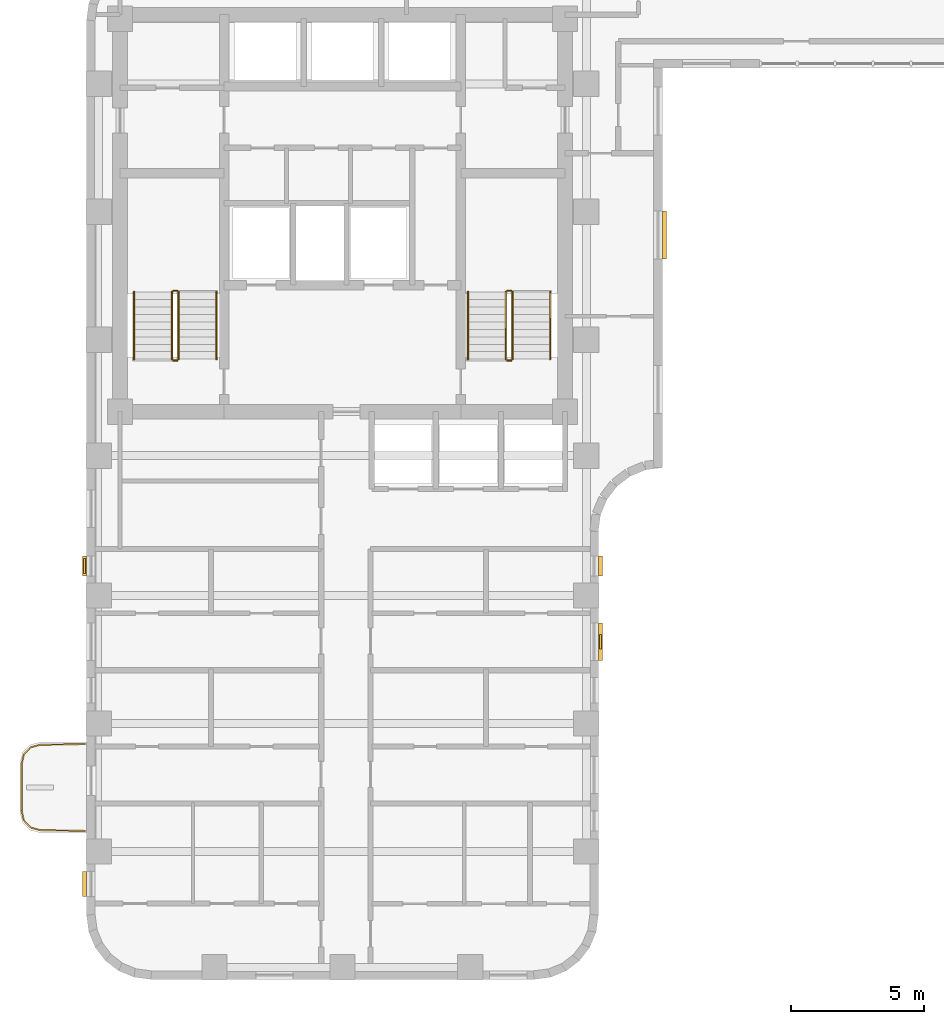
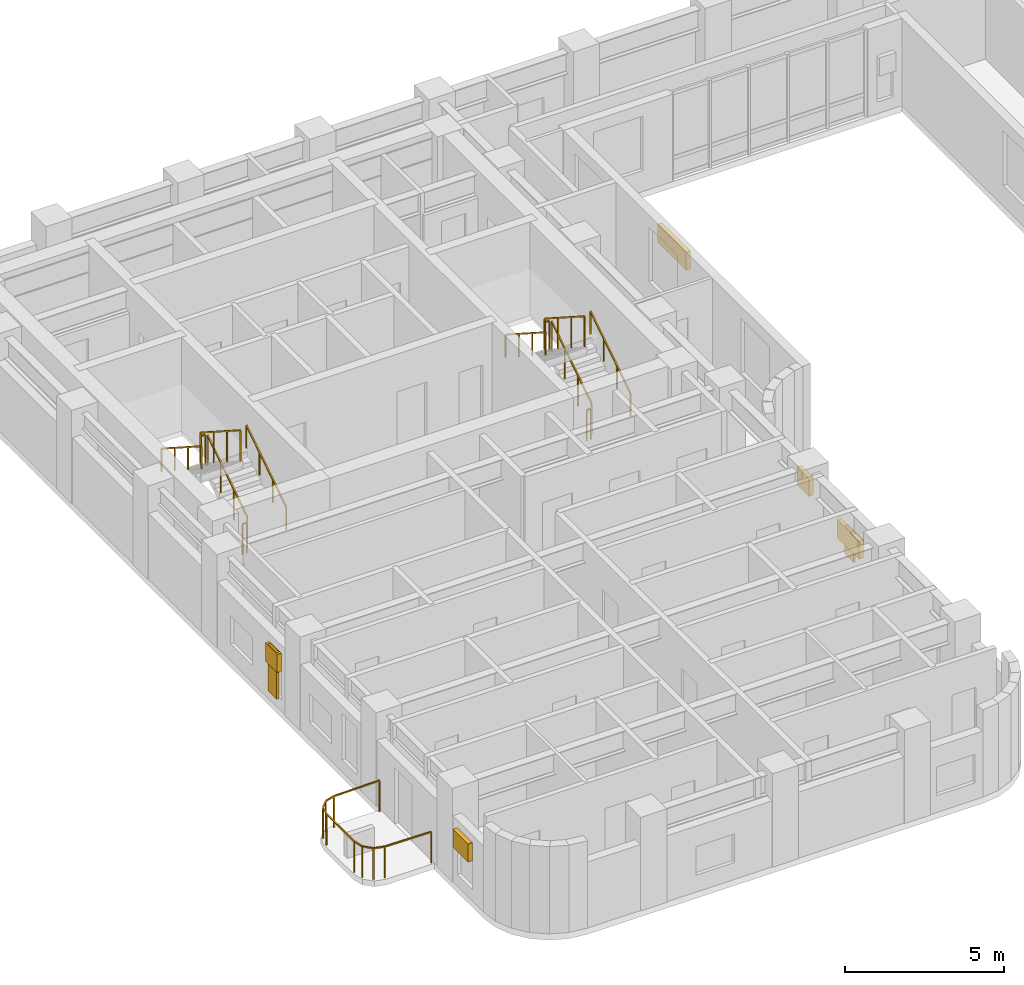
# One storey, part 9 of 11: 13 railings, 7 shading devices.
"""IFC4 building model written with IfcOpenShell, lengths in metres."""

from ifc_helpers import new_model, si_unit, direction, frame, origin, origin_2d, place, context, subcontext, project, spatial, rectangle, extrude, material, type_object, element, save


model = new_model("IFC4")

# Units and contexts
model_context = context("Model", 3, precision=1e-05, world=origin(), true_north=direction((0.0, 1.0)))
body_context = subcontext(model_context, "Body", "Model", "MODEL_VIEW")
ifc_project = project(units=[si_unit("LENGTHUNIT", "METRE"), si_unit("AREAUNIT", "SQUARE_METRE"), si_unit("VOLUMEUNIT", "CUBIC_METRE"), si_unit("PLANEANGLEUNIT", "RADIAN"), si_unit("MASSUNIT", "GRAM", prefix="KILO")], contexts=[model_context])

# Site, building, storey
site_placement = place(None, origin())
site = spatial("IfcSite", under=ifc_project, at=site_placement, CompositionType="ELEMENT")
building_placement = place(site_placement, origin())
building = spatial("IfcBuilding", under=site, at=building_placement, Name="Orvandelia Arch Residences", CompositionType="ELEMENT")
storey_placement = place(building_placement, frame((0.0, 0.0, 172.0)))
storey = spatial("IfcBuildingStorey", under=building, at=storey_placement, Name="L45", CompositionType="ELEMENT", Elevation=172.0)

# Railings
ifc_material_1 = material(Name="Marine-Grade Stainless Steel 316", Category="steel")
railing_type_1 = type_object("IfcRailingType", Name="GRD-BAL-1200", PredefinedType="BALUSTRADE", material=ifc_material_1)
railing_1_placement = place(storey_placement, frame((4.728271484375, 18.430419921875, 0.0)))
element("IfcRailing", 1, at=railing_1_placement, inside=storey, type_object=railing_type_1, Name="Safety Balustrade Guard GRD-L45-BAL-L45-W1-1", PredefinedType="BALUSTRADE", context=body_context, shape_type="SweptSolid", body=[
    extrude(rectangle(XDim=0.048095703125, YDim=0.048095703125, at=origin_2d()), frame((0.0, 0.0, 1.19580078125), z_axis=(-0.999834751713, -0.018178813668, 0.0), x_axis=(0.018178813668, -0.999834751713, 0.0)), (0.0, 0.0, 1.0), 1.6787109375),
    extrude(rectangle(XDim=0.048095703125, YDim=0.048095703125, at=origin_2d()), frame((-1.678466796875, -0.030517578125, 1.19580078125), z_axis=(-0.96348920644, -0.267747173792, 0.0), x_axis=(0.267747173792, -0.96348920644, 0.0)), (0.0, 0.0, 1.0), 0.36572265625),
    extrude(rectangle(XDim=0.048095703125, YDim=0.048095703125, at=origin_2d()), frame((-2.03076171875, -0.12841796875, 1.19580078125), z_axis=(-0.688627404251, -0.725115368831, 0.0), x_axis=(0.725115368831, -0.688627404251, 0.0)), (0.0, 0.0, 1.0), 0.367919921875),
    extrude(rectangle(XDim=0.048095703125, YDim=0.048095703125, at=origin_2d()), frame((-2.2841796875, -0.395263671875, 1.19580078125), z_axis=(-0.220602419982, -0.975363815352, 0.0), x_axis=(0.975363815352, -0.220602419982, 0.0)), (0.0, 0.0, 1.0), 0.373046875),
    extrude(rectangle(XDim=0.048095703125, YDim=0.048095703125, at=origin_2d()), frame((-2.366455078125, -0.759033203125, 1.19580078125), z_axis=(0.0, -1.0, 0.0), x_axis=(1.0, 0.0, 0.0)), (0.0, 0.0, 1.0), 1.74267578125),
    extrude(rectangle(XDim=0.048095703125, YDim=0.048095703125, at=origin_2d()), frame((-2.366455078125, -2.501708984375, 1.19580078125), z_axis=(0.220602419982, -0.975363815352, 0.0), x_axis=(0.975363815352, 0.220602419982, 0.0)), (0.0, 0.0, 1.0), 0.373046875),
    extrude(rectangle(XDim=0.048095703125, YDim=0.048095703125, at=origin_2d()), frame((-2.2841796875, -2.865478515625, 1.19580078125), z_axis=(0.688296224633, -0.725429739642, 0.0), x_axis=(0.725429739642, 0.688296224633, 0.0)), (0.0, 0.0, 1.0), 0.3681640625),
    extrude(rectangle(XDim=0.048095703125, YDim=0.048095703125, at=origin_2d()), frame((-2.03076171875, -3.132568359375, 1.19580078125), z_axis=(0.96348920644, -0.267747173792, 0.0), x_axis=(0.267747173792, 0.96348920644, 0.0)), (0.0, 0.0, 1.0), 0.36572265625),
    extrude(rectangle(XDim=0.048095703125, YDim=0.048095703125, at=origin_2d()), frame((-1.678466796875, -3.23046875, 1.19580078125), z_axis=(0.999837384468, -0.018033430643, 0.0), x_axis=(0.018033430643, 0.999837384468, 0.0)), (0.0, 0.0, 1.0), 1.6787109375),
    extrude(rectangle(XDim=0.0419921875, YDim=0.0419921875, at=origin_2d()), origin(), (0.0, 0.0, 1.0), 1.171875),
    extrude(rectangle(XDim=0.0419921875, YDim=0.0419921875, at=origin_2d()), frame((-1.678466796875, -0.030517578125, 0.0)), (0.0, 0.0, 1.0), 1.171875),
    extrude(rectangle(XDim=0.0419921875, YDim=0.0419921875, at=origin_2d()), frame((-2.03076171875, -0.12841796875, 0.0)), (0.0, 0.0, 1.0), 1.171875),
    extrude(rectangle(XDim=0.0419921875, YDim=0.0419921875, at=origin_2d()), frame((-2.2841796875, -0.395263671875, 0.0)), (0.0, 0.0, 1.0), 1.171875),
    extrude(rectangle(XDim=0.0419921875, YDim=0.0419921875, at=origin_2d()), frame((-2.366455078125, -0.759033203125, 0.0)), (0.0, 0.0, 1.0), 1.171875),
    extrude(rectangle(XDim=0.0419921875, YDim=0.0419921875, at=origin_2d()), frame((-2.366455078125, -2.501708984375, 0.0)), (0.0, 0.0, 1.0), 1.171875),
    extrude(rectangle(XDim=0.0419921875, YDim=0.0419921875, at=origin_2d()), frame((-2.2841796875, -2.865478515625, 0.0)), (0.0, 0.0, 1.0), 1.171875),
    extrude(rectangle(XDim=0.0419921875, YDim=0.0419921875, at=origin_2d()), frame((-2.03076171875, -3.132568359375, 0.0)), (0.0, 0.0, 1.0), 1.171875),
    extrude(rectangle(XDim=0.0419921875, YDim=0.0419921875, at=origin_2d()), frame((-1.678466796875, -3.23046875, 0.0)), (0.0, 0.0, 1.0), 1.171875),
    extrude(rectangle(XDim=0.0419921875, YDim=0.0419921875, at=origin_2d()), frame((0.0, -3.2607421875, 0.0)), (0.0, 0.0, 1.0), 1.171875),
])
ifc_material_2 = material(Name="Brushed Stainless Steel 304", Category="steel")
railing_type_2 = type_object("IfcRailingType", Name="RL-STAIR-GD1120", PredefinedType="GUARDRAIL", material=ifc_material_2)
railing_2_placement = place(storey_placement, frame((8.25, 32.8701171875, 0.179931640625)))
element("IfcRailing", 2, at=railing_2_placement, inside=storey, type_object=railing_type_2, Name="L45 ST-1 stair guard 1", PredefinedType="GUARDRAIL", context=body_context, shape_type="SweptSolid", body=[
    extrude(rectangle(XDim=0.048095703125, YDim=0.048095703125, at=origin_2d()), frame((0.0, 0.0, 1.17578125), z_axis=(0.0, 0.841138753965, 0.540819375188), x_axis=(-1.0, 0.0, 0.0)), (0.0, 0.0, 1.0), 2.99560546875),
    extrude(rectangle(XDim=0.0419921875, YDim=0.0419921875, at=origin_2d()), origin(), (0.0, 0.0, 1.0), 1.15185546875),
    extrude(rectangle(XDim=0.0419921875, YDim=0.0419921875, at=origin_2d()), frame((0.0, 0.83984375, 0.5400390625)), (0.0, 0.0, 1.0), 1.15185546875),
    extrude(rectangle(XDim=0.0419921875, YDim=0.0419921875, at=origin_2d()), frame((0.0, 1.679931640625, 1.080078125)), (0.0, 0.0, 1.0), 1.15185546875),
    extrude(rectangle(XDim=0.0419921875, YDim=0.0419921875, at=origin_2d()), frame((0.0, 2.519775390625, 1.6201171875)), (0.0, 0.0, 1.0), 1.15185546875),
])
railing_3_placement = place(storey_placement, frame((8.199951171875, 35.43994140625, 1.800048828125)))
element("IfcRailing", 3, at=railing_3_placement, inside=storey, type_object=railing_type_2, Name="L45 ST-1 stair guard 2", PredefinedType="GUARDRAIL", context=body_context, shape_type="SweptSolid", body=[
    extrude(rectangle(XDim=0.048095703125, YDim=0.048095703125, at=origin_2d()), frame((0.0, 0.0, 1.17578125), z_axis=(-1.0, 0.0, 0.0), x_axis=(0.0, -1.0, 0.0)), (0.0, 0.0, 1.0), 0.14990234375),
    extrude(rectangle(XDim=0.0419921875, YDim=0.0419921875, at=origin_2d()), origin(), (0.0, 0.0, 1.0), 1.15185546875),
    extrude(rectangle(XDim=0.0419921875, YDim=0.0419921875, at=origin_2d()), frame((-0.14990234375, 0.0, 0.0)), (0.0, 0.0, 1.0), 1.15185546875),
])
railing_4_placement = place(storey_placement, frame((8.0, 35.389892578125, 1.97998046875)))
element("IfcRailing", 4, at=railing_4_placement, inside=storey, type_object=railing_type_2, Name="L45 ST-1 stair guard 3", PredefinedType="GUARDRAIL", context=body_context, shape_type="SweptSolid", body=[
    extrude(rectangle(XDim=0.048095703125, YDim=0.048095703125, at=origin_2d()), frame((0.0, 0.0, 1.17578125), z_axis=(0.0, -0.841138753965, 0.540819375188), x_axis=(1.0, 0.0, 0.0)), (0.0, 0.0, 1.0), 2.99560546875),
    extrude(rectangle(XDim=0.0419921875, YDim=0.0419921875, at=origin_2d()), origin(), (0.0, 0.0, 1.0), 1.15185546875),
    extrude(rectangle(XDim=0.0419921875, YDim=0.0419921875, at=origin_2d()), frame((0.0, -0.83984375, 0.5400390625)), (0.0, 0.0, 1.0), 1.15185546875),
    extrude(rectangle(XDim=0.0419921875, YDim=0.0419921875, at=origin_2d()), frame((0.0, -1.679931640625, 1.080078125)), (0.0, 0.0, 1.0), 1.15185546875),
    extrude(rectangle(XDim=0.0419921875, YDim=0.0419921875, at=origin_2d()), frame((0.0, -2.519775390625, 1.6201171875)), (0.0, 0.0, 1.0), 1.15185546875),
])
railing_5_placement = place(storey_placement, frame((8.199951171875, 32.820068359375, 0.0)))
element("IfcRailing", 5, at=railing_5_placement, inside=storey, type_object=railing_type_2, Name="L45 ST-1 stair guard 4", PredefinedType="GUARDRAIL", context=body_context, shape_type="SweptSolid", body=[
    extrude(rectangle(XDim=0.048095703125, YDim=0.048095703125, at=origin_2d()), frame((0.0, 0.0, 1.17578125), z_axis=(-1.0, 0.0, 0.0), x_axis=(0.0, -1.0, 0.0)), (0.0, 0.0, 1.0), 0.14990234375),
    extrude(rectangle(XDim=0.0419921875, YDim=0.0419921875, at=origin_2d()), origin(), (0.0, 0.0, 1.0), 1.15185546875),
    extrude(rectangle(XDim=0.0419921875, YDim=0.0419921875, at=origin_2d()), frame((-0.14990234375, 0.0, 0.0)), (0.0, 0.0, 1.0), 1.15185546875),
])
railing_6_placement = place(storey_placement, frame((20.780029296875, 32.8701171875, 0.179931640625)))
element("IfcRailing", 6, at=railing_6_placement, inside=storey, type_object=railing_type_2, Name="L45 ST-2 stair guard 1", PredefinedType="GUARDRAIL", context=body_context, shape_type="SweptSolid", body=[
    extrude(rectangle(XDim=0.048095703125, YDim=0.048095703125, at=origin_2d()), frame((0.0, 0.0, 1.17578125), z_axis=(0.0, 0.841138753965, 0.540819375188), x_axis=(-1.0, 0.0, 0.0)), (0.0, 0.0, 1.0), 2.99560546875),
    extrude(rectangle(XDim=0.0419921875, YDim=0.0419921875, at=origin_2d()), origin(), (0.0, 0.0, 1.0), 1.15185546875),
    extrude(rectangle(XDim=0.0419921875, YDim=0.0419921875, at=origin_2d()), frame((0.0, 0.83984375, 0.5400390625)), (0.0, 0.0, 1.0), 1.15185546875),
    extrude(rectangle(XDim=0.0419921875, YDim=0.0419921875, at=origin_2d()), frame((0.0, 1.679931640625, 1.080078125)), (0.0, 0.0, 1.0), 1.15185546875),
    extrude(rectangle(XDim=0.0419921875, YDim=0.0419921875, at=origin_2d()), frame((0.0, 2.519775390625, 1.6201171875)), (0.0, 0.0, 1.0), 1.15185546875),
])
railing_7_placement = place(storey_placement, frame((20.72998046875, 35.43994140625, 1.800048828125)))
element("IfcRailing", 7, at=railing_7_placement, inside=storey, type_object=railing_type_2, Name="L45 ST-2 stair guard 2", PredefinedType="GUARDRAIL", context=body_context, shape_type="SweptSolid", body=[
    extrude(rectangle(XDim=0.048095703125, YDim=0.048095703125, at=origin_2d()), frame((0.0, 0.0, 1.17578125), z_axis=(-1.0, 0.0, 0.0), x_axis=(0.0, -1.0, 0.0)), (0.0, 0.0, 1.0), 0.14990234375),
    extrude(rectangle(XDim=0.0419921875, YDim=0.0419921875, at=origin_2d()), origin(), (0.0, 0.0, 1.0), 1.15185546875),
    extrude(rectangle(XDim=0.0419921875, YDim=0.0419921875, at=origin_2d()), frame((-0.14990234375, 0.0, 0.0)), (0.0, 0.0, 1.0), 1.15185546875),
])
railing_8_placement = place(storey_placement, frame((20.530029296875, 35.389892578125, 1.97998046875)))
element("IfcRailing", 8, at=railing_8_placement, inside=storey, type_object=railing_type_2, Name="L45 ST-2 stair guard 3", PredefinedType="GUARDRAIL", context=body_context, shape_type="SweptSolid", body=[
    extrude(rectangle(XDim=0.048095703125, YDim=0.048095703125, at=origin_2d()), frame((0.0, 0.0, 1.17578125), z_axis=(0.0, -0.841138753965, 0.540819375188), x_axis=(1.0, 0.0, 0.0)), (0.0, 0.0, 1.0), 2.99560546875),
    extrude(rectangle(XDim=0.0419921875, YDim=0.0419921875, at=origin_2d()), origin(), (0.0, 0.0, 1.0), 1.15185546875),
    extrude(rectangle(XDim=0.0419921875, YDim=0.0419921875, at=origin_2d()), frame((0.0, -0.83984375, 0.5400390625)), (0.0, 0.0, 1.0), 1.15185546875),
    extrude(rectangle(XDim=0.0419921875, YDim=0.0419921875, at=origin_2d()), frame((0.0, -1.679931640625, 1.080078125)), (0.0, 0.0, 1.0), 1.15185546875),
    extrude(rectangle(XDim=0.0419921875, YDim=0.0419921875, at=origin_2d()), frame((0.0, -2.519775390625, 1.6201171875)), (0.0, 0.0, 1.0), 1.15185546875),
])
railing_9_placement = place(storey_placement, frame((20.72998046875, 32.820068359375, 0.0)))
element("IfcRailing", 9, at=railing_9_placement, inside=storey, type_object=railing_type_2, Name="L45 ST-2 stair guard 4", PredefinedType="GUARDRAIL", context=body_context, shape_type="SweptSolid", body=[
    extrude(rectangle(XDim=0.048095703125, YDim=0.048095703125, at=origin_2d()), frame((0.0, 0.0, 1.17578125), z_axis=(-1.0, 0.0, 0.0), x_axis=(0.0, -1.0, 0.0)), (0.0, 0.0, 1.0), 0.14990234375),
    extrude(rectangle(XDim=0.0419921875, YDim=0.0419921875, at=origin_2d()), origin(), (0.0, 0.0, 1.0), 1.15185546875),
    extrude(rectangle(XDim=0.0419921875, YDim=0.0419921875, at=origin_2d()), frame((-0.14990234375, 0.0, 0.0)), (0.0, 0.0, 1.0), 1.15185546875),
])
railing_type_3 = type_object("IfcRailingType", Name="RL-STAIR-HR920", PredefinedType="HANDRAIL", material=ifc_material_2)
railing_10_placement = place(storey_placement, frame((9.669921875, 32.8701171875, 0.360107421875)))
element("IfcRailing", 10, at=railing_10_placement, inside=storey, type_object=railing_type_3, Name="L45 ST-1 stair handrail 1", PredefinedType="HANDRAIL", context=body_context, shape_type="SweptSolid", body=[
    extrude(rectangle(XDim=0.048095703125, YDim=0.048095703125, at=origin_2d()), frame((0.0, 0.0, 0.8759765625), z_axis=(0.0, 0.841175827307, 0.540761710511), x_axis=(-1.0, 0.0, 0.0)), (0.0, 0.0, 1.0), 2.99560546875),
    extrude(rectangle(XDim=0.0419921875, YDim=0.0419921875, at=origin_2d()), origin(), (0.0, 0.0, 1.0), 0.851806640625),
    extrude(rectangle(XDim=0.0419921875, YDim=0.0419921875, at=origin_2d()), frame((0.0, 0.83984375, 0.5400390625)), (0.0, 0.0, 1.0), 0.851806640625),
    extrude(rectangle(XDim=0.0419921875, YDim=0.0419921875, at=origin_2d()), frame((0.0, 1.679931640625, 1.079833984375)), (0.0, 0.0, 1.0), 0.851806640625),
    extrude(rectangle(XDim=0.0419921875, YDim=0.0419921875, at=origin_2d()), frame((0.0, 2.519775390625, 1.619873046875)), (0.0, 0.0, 1.0), 0.851806640625),
])
railing_11_placement = place(storey_placement, frame((6.580078125, 35.389892578125, 2.159912109375)))
element("IfcRailing", 11, at=railing_11_placement, inside=storey, type_object=railing_type_3, Name="L45 ST-1 stair handrail 2", PredefinedType="HANDRAIL", context=body_context, shape_type="SweptSolid", body=[
    extrude(rectangle(XDim=0.048095703125, YDim=0.048095703125, at=origin_2d()), frame((0.0, 0.0, 0.8759765625), z_axis=(0.0, -0.841138753965, 0.540819375188), x_axis=(1.0, 0.0, 0.0)), (0.0, 0.0, 1.0), 2.99560546875),
    extrude(rectangle(XDim=0.0419921875, YDim=0.0419921875, at=origin_2d()), origin(), (0.0, 0.0, 1.0), 0.851806640625),
    extrude(rectangle(XDim=0.0419921875, YDim=0.0419921875, at=origin_2d()), frame((0.0, -0.83984375, 0.5400390625)), (0.0, 0.0, 1.0), 0.851806640625),
    extrude(rectangle(XDim=0.0419921875, YDim=0.0419921875, at=origin_2d()), frame((0.0, -1.679931640625, 1.080078125)), (0.0, 0.0, 1.0), 0.851806640625),
    extrude(rectangle(XDim=0.0419921875, YDim=0.0419921875, at=origin_2d()), frame((0.0, -2.519775390625, 1.6201171875)), (0.0, 0.0, 1.0), 0.851806640625),
])
railing_12_placement = place(storey_placement, frame((22.199951171875, 32.8701171875, 0.360107421875)))
element("IfcRailing", 12, at=railing_12_placement, inside=storey, type_object=railing_type_3, Name="L45 ST-2 stair handrail 1", PredefinedType="HANDRAIL", context=body_context, shape_type="SweptSolid", body=[
    extrude(rectangle(XDim=0.048095703125, YDim=0.048095703125, at=origin_2d()), frame((0.0, 0.0, 0.8759765625), z_axis=(0.0, 0.841175827307, 0.540761710511), x_axis=(-1.0, 0.0, 0.0)), (0.0, 0.0, 1.0), 2.99560546875),
    extrude(rectangle(XDim=0.0419921875, YDim=0.0419921875, at=origin_2d()), origin(), (0.0, 0.0, 1.0), 0.851806640625),
    extrude(rectangle(XDim=0.0419921875, YDim=0.0419921875, at=origin_2d()), frame((0.0, 0.83984375, 0.5400390625)), (0.0, 0.0, 1.0), 0.851806640625),
    extrude(rectangle(XDim=0.0419921875, YDim=0.0419921875, at=origin_2d()), frame((0.0, 1.679931640625, 1.079833984375)), (0.0, 0.0, 1.0), 0.851806640625),
    extrude(rectangle(XDim=0.0419921875, YDim=0.0419921875, at=origin_2d()), frame((0.0, 2.519775390625, 1.619873046875)), (0.0, 0.0, 1.0), 0.851806640625),
])
railing_13_placement = place(storey_placement, frame((19.110107421875, 35.389892578125, 2.159912109375)))
element("IfcRailing", 13, at=railing_13_placement, inside=storey, type_object=railing_type_3, Name="L45 ST-2 stair handrail 2", PredefinedType="HANDRAIL", context=body_context, shape_type="SweptSolid", body=[
    extrude(rectangle(XDim=0.048095703125, YDim=0.048095703125, at=origin_2d()), frame((0.0, 0.0, 0.8759765625), z_axis=(0.0, -0.841138753965, 0.540819375188), x_axis=(1.0, 0.0, 0.0)), (0.0, 0.0, 1.0), 2.99560546875),
    extrude(rectangle(XDim=0.0419921875, YDim=0.0419921875, at=origin_2d()), origin(), (0.0, 0.0, 1.0), 0.851806640625),
    extrude(rectangle(XDim=0.0419921875, YDim=0.0419921875, at=origin_2d()), frame((0.0, -0.83984375, 0.5400390625)), (0.0, 0.0, 1.0), 0.851806640625),
    extrude(rectangle(XDim=0.0419921875, YDim=0.0419921875, at=origin_2d()), frame((0.0, -1.679931640625, 1.080078125)), (0.0, 0.0, 1.0), 0.851806640625),
    extrude(rectangle(XDim=0.0419921875, YDim=0.0419921875, at=origin_2d()), frame((0.0, -2.519775390625, 1.6201171875)), (0.0, 0.0, 1.0), 0.851806640625),
])

# Shading devices
ifc_material_3 = material(Name="Anodised Champagne-Bronze Extruded Aluminium", Category="aluminium")
shading_device_type_1 = type_object("IfcShadingDeviceType", Name="SHD-JALOUSIE-SCREEN", PredefinedType="JALOUSIE", material=ifc_material_3)
shading_device_1_placement = place(storey_placement, frame((26.47998046875, 37.530029296875, 2.2001953125), z_axis=(0.0, 0.0, 1.0), x_axis=(0.0, -1.0, 0.0)))
element("IfcShadingDevice", 14, at=shading_device_1_placement, inside=storey, type_object=shading_device_type_1, Name="Bronze Jalousie Sun-Shade L45-005", PredefinedType="JALOUSIE", context=body_context, shape_type="SweptSolid", body=[
    extrude(rectangle(XDim=1.800048828125, YDim=0.159912109375, at=origin_2d()), origin(), (0.0, 0.0, 1.0), 0.699951171875),
])
shading_device_2_placement = place(storey_placement, frame((24.080078125, 22.27001953125, 1.0498046875), z_axis=(0.0, 0.0, 1.0), x_axis=(0.0, -1.0, 0.0)))
element("IfcShadingDevice", 15, at=shading_device_2_placement, inside=storey, type_object=shading_device_type_1, Name="Bronze Jalousie Sun-Shade L45-006", PredefinedType="JALOUSIE", context=body_context, shape_type="SweptSolid", body=[
    extrude(rectangle(XDim=1.39990234375, YDim=0.159912109375, at=origin_2d()), origin(), (0.0, 0.0, 1.0), 0.699951171875),
])
shading_device_3_placement = place(storey_placement, frame((24.080078125, 25.107421875, 1.5498046875), z_axis=(0.0, 0.0, 1.0), x_axis=(0.0, -1.0, 0.0)))
element("IfcShadingDevice", 16, at=shading_device_3_placement, inside=storey, type_object=shading_device_type_1, Name="Bronze Jalousie Sun-Shade L45-007", PredefinedType="JALOUSIE", context=body_context, shape_type="SweptSolid", body=[
    extrude(rectangle(XDim=0.75, YDim=0.159912109375, at=origin_2d()), origin(), (0.0, 0.0, 1.0), 0.699951171875),
])
shading_device_4_placement = place(storey_placement, frame((4.719970703125, 13.174560546875, 1.5498046875), z_axis=(0.0, 0.0, 1.0), x_axis=(0.0, 1.0, 0.0)))
element("IfcShadingDevice", 17, at=shading_device_4_placement, inside=storey, type_object=shading_device_type_1, Name="Bronze Jalousie Sun-Shade L45-008", PredefinedType="JALOUSIE", context=body_context, shape_type="SweptSolid", body=[
    extrude(rectangle(XDim=0.949951171875, YDim=0.159912109375, at=origin_2d()), origin(), (0.0, 0.0, 1.0), 0.699951171875),
])
shading_device_5_placement = place(storey_placement, frame((4.719970703125, 25.107421875, 1.5498046875), z_axis=(0.0, 0.0, 1.0), x_axis=(0.0, 1.0, 0.0)))
element("IfcShadingDevice", 18, at=shading_device_5_placement, inside=storey, type_object=shading_device_type_1, Name="Bronze Jalousie Sun-Shade L45-009", PredefinedType="JALOUSIE", context=body_context, shape_type="SweptSolid", body=[
    extrude(rectangle(XDim=0.75, YDim=0.159912109375, at=origin_2d()), origin(), (0.0, 0.0, 1.0), 0.699951171875),
])
ifc_material_4 = material(Name="Marine-Grade Perforated Aluminium Storm Shutter", Category="aluminium")
shading_device_type_2 = type_object("IfcShadingDeviceType", Name="SHD-STORM-SHUTTER", PredefinedType="SHUTTER", material=ifc_material_4)
shading_device_6_placement = place(storey_placement, frame((24.080078125, 22.27001953125, 0.64990234375), z_axis=(0.0, 0.0, 1.0), x_axis=(0.0, -1.0, 0.0)))
element("IfcShadingDevice", 19, at=shading_device_6_placement, inside=storey, type_object=shading_device_type_2, Name="Operable Typhoon Storm Shutter L45-006", PredefinedType="SHUTTER", context=body_context, shape_type="SweptSolid", body=[
    extrude(rectangle(XDim=0.550048828125, YDim=0.080078125, at=origin_2d()), origin(), (0.0, 0.0, 1.0), 1.10009765625),
])
shading_device_7_placement = place(storey_placement, frame((4.719970703125, 25.107421875, 0.4501953125), z_axis=(0.0, 0.0, 1.0), x_axis=(0.0, 1.0, 0.0)))
element("IfcShadingDevice", 20, at=shading_device_7_placement, inside=storey, type_object=shading_device_type_2, Name="Operable Typhoon Storm Shutter L45-009", PredefinedType="SHUTTER", context=body_context, shape_type="SweptSolid", body=[
    extrude(rectangle(XDim=0.550048828125, YDim=0.080078125, at=origin_2d()), origin(), (0.0, 0.0, 1.0), 1.800048828125),
])

save(model, "model.ifc")
